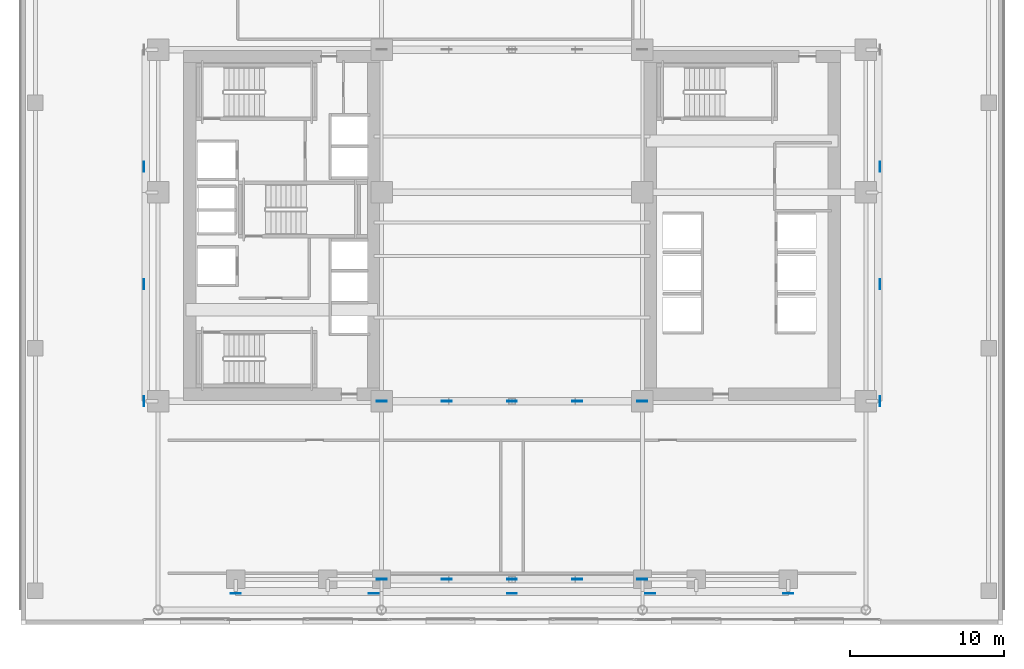
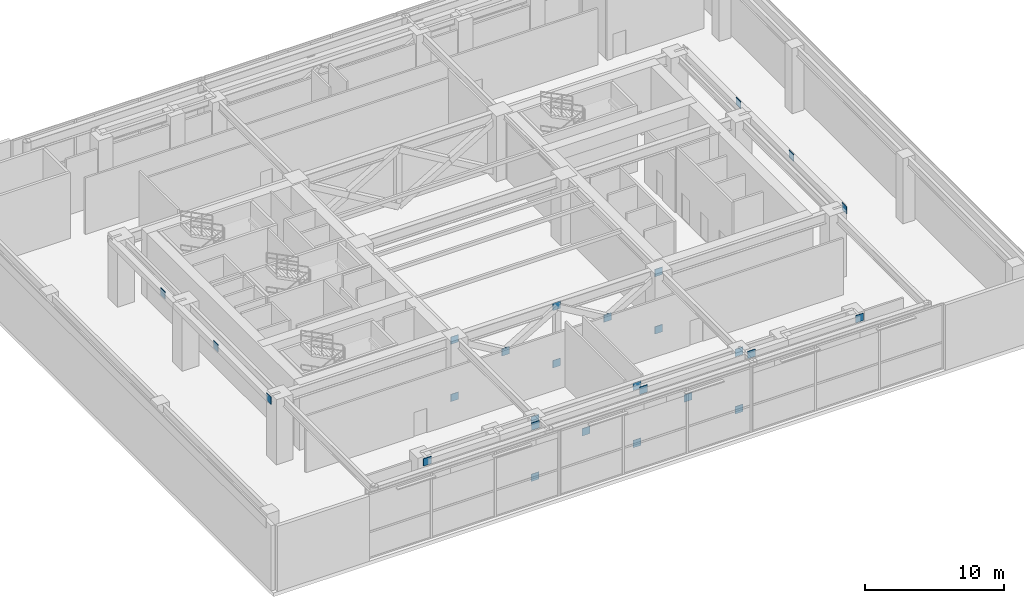
# One storey, part 19 of 29: 27 plates.
"""IFC4 building model written with IfcOpenShell, lengths in metres."""

from ifc_helpers import new_model, si_unit, direction, frame, origin, origin_2d, place, context, subcontext, project, spatial, rectangle, extrude, source, transform, mapped, material, layer, layer_set, type_object, element, save


model = new_model("IFC4")

# Units and contexts
model_context = context("Model", 3, precision=1e-05, world=origin(), true_north=direction((0.0, 1.0)))
body_context = subcontext(model_context, "Body", "Model", "MODEL_VIEW")
ifc_project = project(units=[si_unit("LENGTHUNIT", "METRE"), si_unit("AREAUNIT", "SQUARE_METRE"), si_unit("VOLUMEUNIT", "CUBIC_METRE"), si_unit("PLANEANGLEUNIT", "RADIAN"), si_unit("MASSUNIT", "GRAM", prefix="KILO")], contexts=[model_context])

# Site, building, storey
site_placement = place(None, origin())
site = spatial("IfcSite", under=ifc_project, at=site_placement, CompositionType="ELEMENT")
building_placement = place(site_placement, origin())
building = spatial("IfcBuilding", under=site, at=building_placement, Name="Ocotamira Hotel", CompositionType="ELEMENT")
storey_placement = place(building_placement, frame((0.0, 0.0, 28.800048828125)))
storey = spatial("IfcBuildingStorey", under=building, at=storey_placement, Name="L06", CompositionType="ELEMENT", Elevation=28.800048828125)

# Plates
ifc_material = material(Name="Pale-metal coated steel ASTM A572 Grade 50", Category="steel")
ifc_layer = layer(ifc_material, 0.0400390625)
ifc_layer_set = layer_set([ifc_layer], Name="Pale-metal coated steel ASTM A572 Grade 50")
plate_type = type_object("IfcPlateType", Name="PLT-GUSSET-40", PredefinedType="SHEET", material=ifc_layer_set)
shared_shape_1 = source(origin(), body_context, "Body", "SweptSolid", [
    extrude(rectangle(XDim=0.64990234375, YDim=0.0400390625, at=origin_2d()), origin(), (0.0, 0.0, 1.0), 0.64990234375),
])
for number, where, z_axis, x_axis, name in (
    (1, (32.0, 2.949951171875, -0.074951171875), (0.0, 0.0, 1.0), (1.0, 0.0, 0.0), "L06 Portal Transfer Truss Post Y2.95 End Gusset A"),
    (2, (32.0, 2.949951171875, 4.97509765625), (0.0, 0.0, 1.0), (1.0, 0.0, 0.0), "L06 Portal Transfer Truss Post Y2.95 End Gusset B"),
    (3, (23.5, 2.949951171875, -0.074951171875), (0.0, 0.0, 1.0), (1.0, 0.0, 0.0), "L06 Portal Transfer Truss Diagonal Y2.95-1 End Gusset A"),
    (4, (27.75, 2.949951171875, 2.449951171875), (0.0, 0.0, 1.0), (1.0, 0.0, 0.0), "L06 Portal Transfer Truss Diagonal Y2.95-3 Crossing Gusset Plate"),
    (5, (23.5, 2.949951171875, 4.97509765625), (0.0, 0.0, 1.0), (1.0, 0.0, 0.0), "L06 Portal Transfer Truss Diagonal Y2.95-3 End Gusset A"),
    (6, (40.5, 2.949951171875, -0.074951171875), (0.0, 0.0, 1.0), (1.0, 0.0, 0.0), "L06 Portal Transfer Truss Diagonal Y2.95-2 End Gusset B"),
    (7, (36.25, 2.949951171875, 2.449951171875), (0.0, 0.0, 1.0), (1.0, 0.0, 0.0), "L06 Portal Transfer Truss Diagonal Y2.95-4 Crossing Gusset Plate"),
    (8, (40.5, 2.949951171875, 4.97509765625), (0.0, 0.0, 1.0), (1.0, 0.0, 0.0), "L06 Portal Transfer Truss Diagonal Y2.95-4 End Gusset B"),
    (9, (32.0, 14.550048828125, -0.074951171875), (0.0, 0.0, 1.0), (1.0, 0.0, 0.0), "L06 Portal Transfer Truss Post Y14.55 End Gusset A"),
    (10, (32.0, 14.550048828125, 4.97509765625), (0.0, 0.0, 1.0), (1.0, 0.0, 0.0), "L06 Portal Transfer Truss Post Y14.55 End Gusset B"),
    (11, (23.5, 14.550048828125, -0.074951171875), (0.0, 0.0, 1.0), (1.0, 0.0, 0.0), "L06 Portal Transfer Truss Diagonal Y14.55-1 End Gusset A"),
    (12, (27.75, 14.550048828125, 2.449951171875), (0.0, 0.0, 1.0), (1.0, 0.0, 0.0), "L06 Portal Transfer Truss Diagonal Y14.55-3 Crossing Gusset Plate"),
    (13, (23.5, 14.550048828125, 4.97509765625), (0.0, 0.0, 1.0), (1.0, 0.0, 0.0), "L06 Portal Transfer Truss Diagonal Y14.55-3 End Gusset A"),
    (14, (40.5, 14.550048828125, -0.074951171875), (0.0, 0.0, 1.0), (1.0, 0.0, 0.0), "L06 Portal Transfer Truss Diagonal Y14.55-2 End Gusset B"),
    (15, (36.25, 14.550048828125, 2.449951171875), (0.0, 0.0, 1.0), (1.0, 0.0, 0.0), "L06 Portal Transfer Truss Diagonal Y14.55-4 Crossing Gusset Plate"),
    (16, (40.5, 14.550048828125, 4.97509765625), (0.0, 0.0, 1.0), (1.0, 0.0, 0.0), "L06 Portal Transfer Truss Diagonal Y14.55-4 End Gusset B"),
    (17, (14.0, 2.030029296875, 5.175048828125), (0.0, 0.0, 1.0), (1.0, 0.0, 0.0), "L06 Exoskeleton Diagrid S0.1 End Gusset A"),
    (18, (23.0, 2.030029296875, 5.175048828125), (0.0, 0.0, 1.0), (-1.0, 0.0, 0.0), "L06 Exoskeleton Diagrid S0.2 End Gusset A"),
    (19, (32.0, 2.030029296875, 5.175048828125), (0.0, 0.0, 1.0), (-1.0, 0.0, 0.0), "L06 Exoskeleton Diagrid S1.2 End Gusset A"),
    (20, (41.0, 2.030029296875, 5.175048828125), (0.0, 0.0, 1.0), (-1.0, 0.0, 0.0), "L06 Exoskeleton Diagrid S2.2 End Gusset A"),
    (21, (50.0, 2.030029296875, 5.175048828125), (0.0, 0.0, 1.0), (-1.0, 0.0, 0.0), "L06 Exoskeleton Diagrid S3.2 End Gusset A"),
):
    element("IfcPlate", number, at=place(storey_placement, frame(where, z_axis=z_axis, x_axis=x_axis)), inside=storey, type_object=plate_type, Name=name, PredefinedType="SHEET", context=body_context, shape_type="MappedRepresentation", body=[
        mapped(shared_shape_1, transform((0.0, 0.0, 0.0), scale=1.0)),
    ])
shared_shape_2 = source(origin(), body_context, "Body", "SweptSolid", [
    extrude(rectangle(XDim=0.0400390625, YDim=0.64990234375, at=origin_2d()), origin(), (0.0, 0.0, 1.0), 0.64990234375),
])
for number, where, z_axis, x_axis, name in (
    (22, (8.030029296875, 14.550048828125, 5.175048828125), (0.0, 0.0, 1.0), (1.0, 0.0, 0.0), "L06 Exoskeleton Diagrid W0.1 End Gusset A"),
    (23, (8.030029296875, 22.183349609375, 5.175048828125), (0.0, 0.0, 1.0), (1.0, 0.0, 0.0), "L06 Exoskeleton Diagrid W0.2 End Gusset A"),
    (24, (8.030029296875, 29.816650390625, 5.175048828125), (0.0, 0.0, 1.0), (1.0, 0.0, 0.0), "L06 Exoskeleton Diagrid W1.2 End Gusset A"),
    (25, (55.969970703125, 14.550048828125, 5.175048828125), (0.0, 0.0, 1.0), (1.0, 0.0, 0.0), "L06 Exoskeleton Diagrid E0.1 End Gusset A"),
    (26, (55.969970703125, 22.183349609375, 5.175048828125), (0.0, 0.0, 1.0), (1.0, 0.0, 0.0), "L06 Exoskeleton Diagrid E0.2 End Gusset A"),
    (27, (55.969970703125, 29.816650390625, 5.175048828125), (0.0, 0.0, 1.0), (1.0, 0.0, 0.0), "L06 Exoskeleton Diagrid E1.2 End Gusset A"),
):
    element("IfcPlate", number, at=place(storey_placement, frame(where, z_axis=z_axis, x_axis=x_axis)), inside=storey, type_object=plate_type, Name=name, PredefinedType="SHEET", context=body_context, shape_type="MappedRepresentation", body=[
        mapped(shared_shape_2, transform((0.0, 0.0, 0.0), scale=1.0)),
    ])

save(model, "model.ifc")
